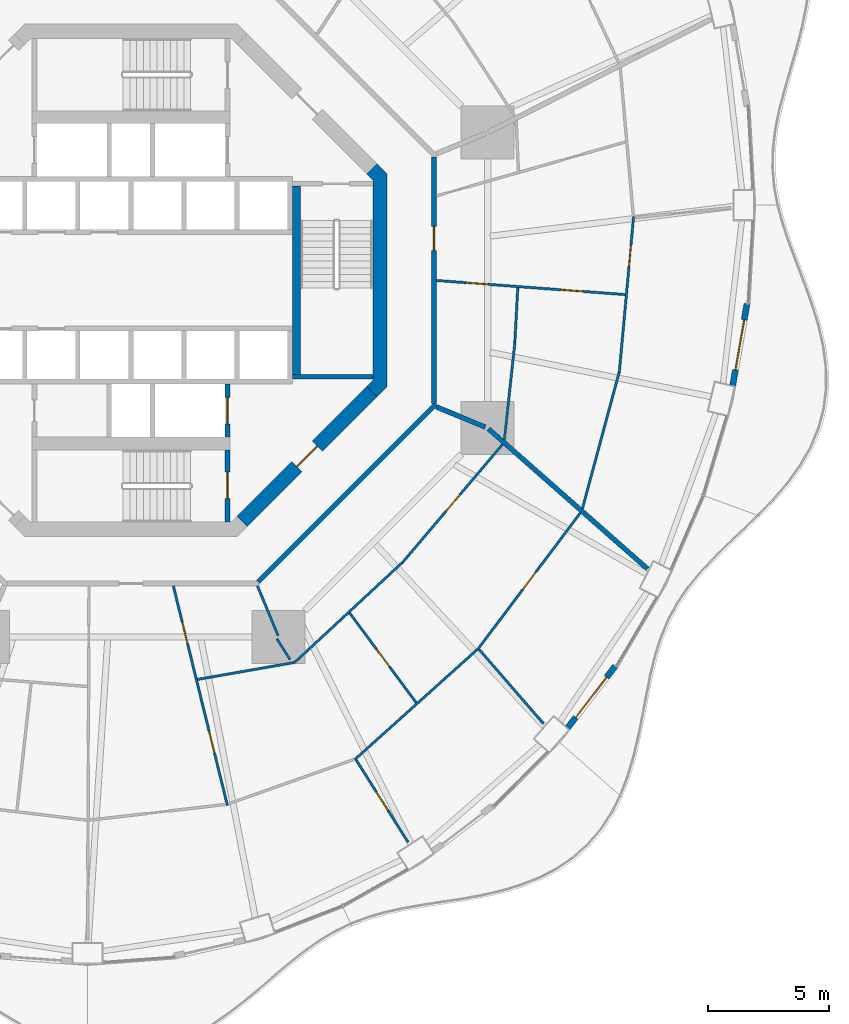
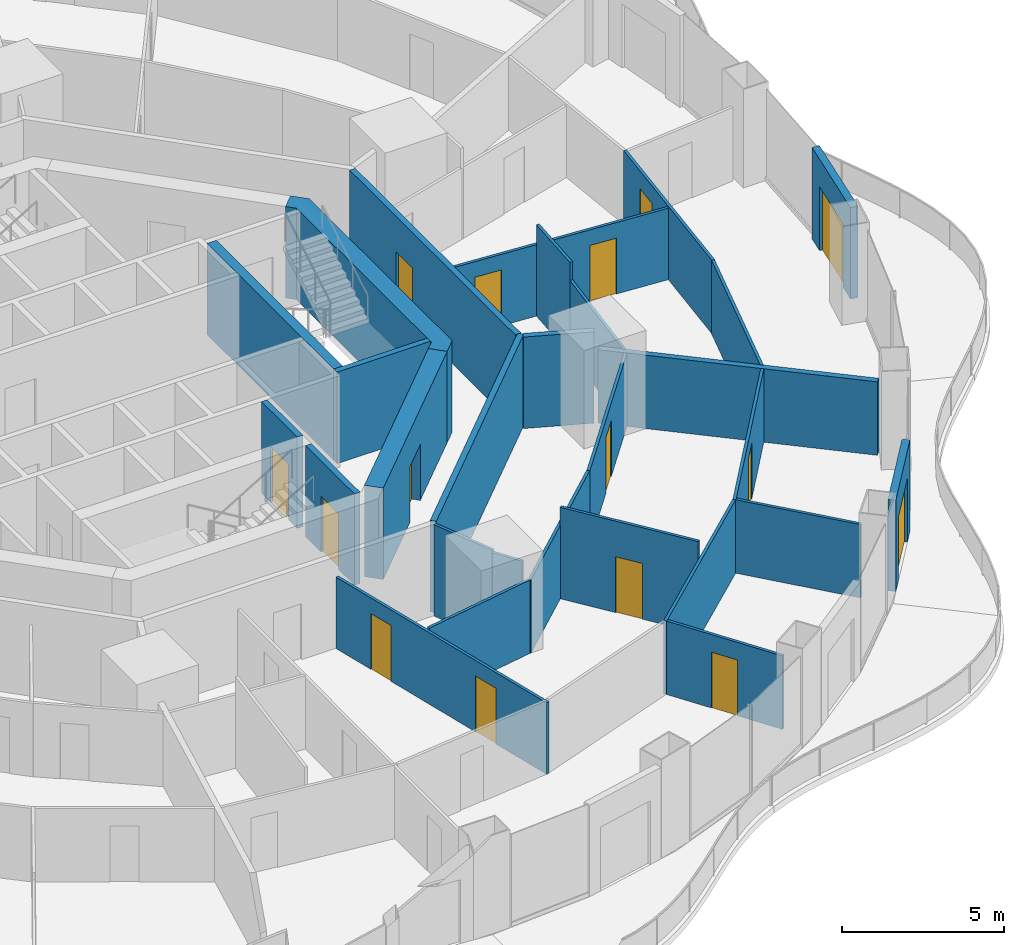
# One storey, part 16 of 22: 28 walls, 15 doors, 15 openings.
"""IFC4 building model written with IfcOpenShell, lengths in metres."""

from ifc_helpers import new_model, si_unit, direction, frame, frame_2d, origin, place, context, subcontext, project, spatial, polyline, rectangle, outline, extrude, material, layer, layer_set, type_object, element, fill, save


model = new_model("IFC4")

# Units and contexts
model_context = context("Model", 3, precision=1e-05, world=origin(), true_north=direction((0.0, 1.0)))
body_context = subcontext(model_context, "Body", "Model", "MODEL_VIEW")
ifc_project = project(units=[si_unit("LENGTHUNIT", "METRE"), si_unit("AREAUNIT", "SQUARE_METRE"), si_unit("VOLUMEUNIT", "CUBIC_METRE"), si_unit("PLANEANGLEUNIT", "RADIAN"), si_unit("MASSUNIT", "GRAM", prefix="KILO")], contexts=[model_context])

# Site, building, storey
site_placement = place(None, origin())
site = spatial("IfcSite", under=ifc_project, at=site_placement, CompositionType="ELEMENT")
building_placement = place(site_placement, origin())
building = spatial("IfcBuilding", under=site, at=building_placement, Name="Nagisa Residences", CompositionType="ELEMENT")
storey_placement = place(building_placement, frame((0.0, 0.0, 80.699951171875)))
storey = spatial("IfcBuildingStorey", under=building, at=storey_placement, Name="L19", CompositionType="ELEMENT", Elevation=80.699951171875)

# Walls
ifc_material_1 = material(Name="Gypsum board on steel studs", Category="steel")
ifc_layer_1 = layer(ifc_material_1, 0.199951171875)
ifc_layer_set_1 = layer_set([ifc_layer_1], Name="Apartment compartment wall EI60 200")
wall_type_1 = type_object("IfcWallType", Name="Apartment compartment wall EI60 200", PredefinedType="PARTITIONING", material=ifc_layer_set_1)
wall_1_placement = place(storey_placement, frame((12.6572265625, -5.24267578125, 0.0), z_axis=(0.0, 0.0, 1.0), x_axis=(0.923876145736, -0.382691608661, 0.0)))
element("IfcWall", 1, at=wall_1_placement, inside=storey, type_object=wall_type_1, Name="wall:L19:u06", PredefinedType="PARTITIONING", context=body_context, shape_type="SweptSolid", body=[
    extrude(rectangle(XDim=2.19970703125, YDim=0.199951171875, at=frame_2d((1.099853515625, 0.0))), origin(), (0.0, 0.0, 1.0), 3.43994140625),
])
wall_2_placement = place(storey_placement, frame((14.819580078125, -6.156005859375, 0.0), z_axis=(0.0, 0.0, 1.0), x_axis=(0.750582231659, -0.660777052808, 0.0)))
element("IfcWall", 2, at=wall_2_placement, inside=storey, type_object=wall_type_1, Name="wall:L19:u07", PredefinedType="PARTITIONING", context=body_context, shape_type="SweptSolid", body=[
    extrude(rectangle(XDim=8.781005859375, YDim=0.199951171875, at=frame_2d((4.390625, 0.0))), origin(), (0.0, 0.0, 1.0), 2.761962890625),
])

# Wall, opening, door
ifc_material_2 = material(Name="Gypsum board on steel studs", Category="steel")
ifc_layer_2 = layer(ifc_material_2, 0.199951171875)
ifc_layer_set_2 = layer_set([ifc_layer_2], Name="Apartment entry wall EI60 200")
wall_type_2 = type_object("IfcWallType", Name="Apartment entry wall EI60 200", PredefinedType="PARTITIONING", material=ifc_layer_set_2)
wall_3_placement = place(storey_placement, frame((12.564697265625, -5.1044921875, 0.0), z_axis=(0.0, 0.0, 1.0), x_axis=(0.0, 1.0, 0.0)))
wall_3 = element("IfcWall", 3, at=wall_3_placement, inside=storey, type_object=wall_type_2, Name="wall:L19:u08", PredefinedType="PARTITIONING", context=body_context, shape_type="SweptSolid", body=[
    extrude(rectangle(XDim=10.208984375, YDim=0.199951171875, at=frame_2d((5.1044921875, 0.0))), origin(), (0.0, 0.0, 1.0), 3.43994140625),
])
opening_1_placement = place(wall_3_placement, frame((6.33935546875, 0.0, 0.0)))
opening_1 = element("IfcOpeningElement", 4, at=opening_1_placement, cuts=wall_3, Name="Opening L19-U48", PredefinedType="OPENING", context=body_context, shape_type="SweptSolid", body=[
    extrude(rectangle(XDim=1.0, YDim=2.10009765625, at=frame_2d((0.5, 1.050048828125))), frame((0.0, 0.10986328125, 0.0), z_axis=(0.0, -1.0, 0.0), x_axis=(1.0, 0.0, 0.0)), (0.0, 0.0, 1.0), 0.219970703125),
])
ifc_material_3 = material(Name="Timber fire door set", Category="wood")
door_type_1 = type_object("IfcDoorType", Name="Apartment entry door FD30S 1000x2100", OperationType="NOTDEFINED", PredefinedType="DOOR", material=ifc_material_3)
door_1_placement = place(opening_1_placement, frame((1.0, 0.0, 0.0), x_axis=(-1.0, 0.0, 0.0)))
door_1 = element("IfcDoor", 5, at=door_1_placement, inside=storey, type_object=door_type_1, Name="Entry door, Apartment 19D", OperationType="SINGLE_SWING_LEFT", OverallHeight=2.10009765625, OverallWidth=1.0, PredefinedType="DOOR", context=body_context, shape_type="SweptSolid", body=[
    extrude(rectangle(XDim=1.0, YDim=2.10009765625, at=frame_2d((0.5, 1.050048828125))), frame((0.0, 0.02490234375, 0.0), z_axis=(0.0, -1.0, 0.0), x_axis=(1.0, 0.0, 0.0)), (0.0, 0.0, 1.0), 0.050048828125),
])
fill(opening_1, door_1)

# Wall
wall_4_placement = place(storey_placement, frame((5.275146484375, -12.494140625, 0.0), z_axis=(0.0, 0.0, 1.0), x_axis=(0.707106781187, 0.707106781187, 0.0)))
element("IfcWall", 6, at=wall_4_placement, inside=storey, type_object=wall_type_2, Name="wall:L19:u15", PredefinedType="PARTITIONING", context=body_context, shape_type="SweptSolid", body=[
    extrude(rectangle(XDim=10.4091796875, YDim=0.199951171875, at=frame_2d((5.20458984375, 0.0))), origin(), (0.0, 0.0, 1.0), 3.43994140625),
])

# Wall, opening, door
ifc_material_4 = material(Name="Gypsum board on steel studs", Category="steel")
ifc_layer_3 = layer(ifc_material_4, 0.10009765625)
ifc_layer_set_3 = layer_set([ifc_layer_3], Name="Apartment partition 100")
wall_type_3 = type_object("IfcWallType", Name="Apartment partition 100", PredefinedType="PARTITIONING", material=ifc_layer_set_3)
wall_5_placement = place(storey_placement, frame((20.833984375, 2.64208984375, 0.0), z_axis=(0.0, 0.0, 1.0), x_axis=(-0.091385407685, -0.995815599025, 0.0)))
wall_5 = element("IfcWall", 7, at=wall_5_placement, inside=storey, type_object=wall_type_3, Name="wall:L19:u18", PredefinedType="PARTITIONING", context=body_context, shape_type="SweptSolid", body=[
    extrude(rectangle(XDim=6.50244140625, YDim=0.10009765625, at=frame_2d((3.251220703125, 0.0))), origin(), (0.0, 0.0, 1.0), 2.761962890625),
])
opening_2_placement = place(wall_5_placement, frame((1.20068359375, 0.0, 0.0)))
opening_2 = element("IfcOpeningElement", 8, at=opening_2_placement, cuts=wall_5, Name="Opening L19-U53", PredefinedType="OPENING", context=body_context, shape_type="SweptSolid", body=[
    extrude(rectangle(XDim=0.89990234375, YDim=2.10009765625, at=frame_2d((0.449951171875, 1.050048828125))), frame((0.0, 0.06005859375, 0.0), z_axis=(0.0, -1.0, 0.0), x_axis=(1.0, 0.0, 0.0)), (0.0, 0.0, 1.0), 0.1201171875),
])
ifc_material_5 = material(Name="Timber door set", Category="wood")
door_type_2 = type_object("IfcDoorType", Name="Apartment door 900x2100", OperationType="NOTDEFINED", PredefinedType="DOOR", material=ifc_material_5)
door_2_placement = place(opening_2_placement, origin())
door_2 = element("IfcDoor", 9, at=door_2_placement, inside=storey, type_object=door_type_2, Name="Door to living room, Apartment 19D", OperationType="SINGLE_SWING_LEFT", OverallHeight=2.10009765625, OverallWidth=0.89990234375, PredefinedType="DOOR", context=body_context, shape_type="SweptSolid", body=[
    extrude(rectangle(XDim=0.89990234375, YDim=2.10009765625, at=frame_2d((0.449951171875, 1.050048828125))), frame((0.0, 0.02490234375, 0.0), z_axis=(0.0, -1.0, 0.0), x_axis=(1.0, 0.0, 0.0)), (0.0, 0.0, 1.0), 0.050048828125),
])
fill(opening_2, door_2)

# Wall, openings, doors
wall_6_placement = place(storey_placement, frame((1.7587890625, -12.661865234375, 0.0), z_axis=(0.0, 0.0, 1.0), x_axis=(0.239022447434, -0.971014041929, 0.0)))
wall_6 = element("IfcWall", 10, at=wall_6_placement, inside=storey, type_object=wall_type_3, Name="wall:L19:u78", PredefinedType="PARTITIONING", context=body_context, shape_type="SweptSolid", body=[
    extrude(rectangle(XDim=9.37353515625, YDim=0.10009765625, at=frame_2d((4.686767578125, 0.0))), origin(), (0.0, 0.0, 1.0), 2.68701171875),
])
opening_3_placement = place(wall_6_placement, frame((1.552001953125, 0.0, 0.0)))
opening_3 = element("IfcOpeningElement", 11, at=opening_3_placement, cuts=wall_6, Name="Opening L19-U38", PredefinedType="OPENING", context=body_context, shape_type="SweptSolid", body=[
    extrude(rectangle(XDim=0.89990234375, YDim=2.10009765625, at=frame_2d((0.449951171875, 1.050048828125))), frame((0.0, 0.06005859375, 0.0), z_axis=(0.0, -1.0, 0.0), x_axis=(1.0, 0.0, 0.0)), (0.0, 0.0, 1.0), 0.1201171875),
])
opening_4_placement = place(wall_6_placement, frame((6.213623046875, 0.0, 0.0)))
opening_4 = element("IfcOpeningElement", 12, at=opening_4_placement, cuts=wall_6, Name="Opening L19-U40", PredefinedType="OPENING", context=body_context, shape_type="SweptSolid", body=[
    extrude(rectangle(XDim=0.89990234375, YDim=2.10009765625, at=frame_2d((0.449951171875, 1.050048828125))), frame((0.0, 0.06005859375, 0.0), z_axis=(0.0, -1.0, 0.0), x_axis=(1.0, 0.0, 0.0)), (0.0, 0.0, 1.0), 0.1201171875),
])
door_3_placement = place(opening_3_placement, origin())
door_3 = element("IfcDoor", 13, at=door_3_placement, inside=storey, type_object=door_type_2, Name="Door to family bathroom, Apartment 19C", OperationType="SINGLE_SWING_RIGHT", OverallHeight=2.10009765625, OverallWidth=0.89990234375, PredefinedType="DOOR", context=body_context, shape_type="SweptSolid", body=[
    extrude(rectangle(XDim=0.89990234375, YDim=2.10009765625, at=frame_2d((0.449951171875, 1.050048828125))), frame((0.0, 0.02490234375, 0.0), z_axis=(0.0, -1.0, 0.0), x_axis=(1.0, 0.0, 0.0)), (0.0, 0.0, 1.0), 0.050048828125),
])
fill(opening_3, door_3)
door_4_placement = place(opening_4_placement, origin())
door_4 = element("IfcDoor", 14, at=door_4_placement, inside=storey, type_object=door_type_2, Name="Door to dining room, Apartment 19C", OperationType="SINGLE_SWING_RIGHT", OverallHeight=2.10009765625, OverallWidth=0.89990234375, PredefinedType="DOOR", context=body_context, shape_type="SweptSolid", body=[
    extrude(rectangle(XDim=0.89990234375, YDim=2.10009765625, at=frame_2d((0.449951171875, 1.050048828125))), frame((0.0, 0.02490234375, 0.0), z_axis=(0.0, -1.0, 0.0), x_axis=(1.0, 0.0, 0.0)), (0.0, 0.0, 1.0), 0.050048828125),
])
fill(opening_4, door_4)

# Walls
wall_7_placement = place(storey_placement, frame((2.76513671875, -16.541015625, 0.0), z_axis=(0.0, 0.0, 1.0), x_axis=(0.985002709003, 0.172538874623, 0.0)))
element("IfcWall", 15, at=wall_7_placement, inside=storey, type_object=wall_type_3, Name="wall:L19:u79", PredefinedType="PARTITIONING", context=body_context, shape_type="SweptSolid", body=[
    extrude(rectangle(XDim=4.0341796875, YDim=0.10009765625, at=frame_2d((2.01708984375, 0.0))), origin(), (0.0, 0.0, 1.0), 2.761962890625),
])
wall_8_placement = place(storey_placement, frame((5.24267578125, -12.6572265625, 0.0), z_axis=(0.0, 0.0, 1.0), x_axis=(0.382719158442, -0.923864733477, 0.0)))
element("IfcWall", 16, at=wall_8_placement, inside=storey, type_object=wall_type_3, Name="wall:L19:u81", PredefinedType="PARTITIONING", context=body_context, shape_type="SweptSolid", body=[
    extrude(rectangle(XDim=2.25, YDim=0.10009765625, at=frame_2d((1.125, 0.0))), origin(), (0.0, 0.0, 1.0), 3.43994140625),
])
wall_9_placement = place(storey_placement, frame((6.751220703125, -15.870361328125, 0.0), z_axis=(0.0, 0.0, 1.0), x_axis=(0.733003105791, 0.680225291283, 0.0)))
element("IfcWall", 17, at=wall_9_placement, inside=storey, type_object=wall_type_3, Name="wall:L19:u82", PredefinedType="PARTITIONING", context=body_context, shape_type="SweptSolid", body=[
    extrude(rectangle(XDim=6.138427734375, YDim=0.10009765625, at=frame_2d((3.0693359375, 0.0))), origin(), (0.0, 0.0, 1.0), 2.761962890625),
])

# Wall, opening, door
wall_10_placement = place(storey_placement, frame((9.336181640625, -19.876708984375, 0.0), z_axis=(0.0, 0.0, 1.0), x_axis=(0.533525984139, -0.845783674617, 0.0)))
wall_10 = element("IfcWall", 18, at=wall_10_placement, inside=storey, type_object=wall_type_3, Name="wall:L19:u83", PredefinedType="PARTITIONING", context=body_context, shape_type="SweptSolid", body=[
    extrude(rectangle(XDim=4.03271484375, YDim=0.10009765625, at=frame_2d((2.016357421875, 0.0))), origin(), (0.0, 0.0, 1.0), 2.761962890625),
])
opening_5_placement = place(wall_10_placement, frame((1.56640625, 0.0, 0.0)))
opening_5 = element("IfcOpeningElement", 19, at=opening_5_placement, cuts=wall_10, Name="Opening L19-U43", PredefinedType="OPENING", context=body_context, shape_type="SweptSolid", body=[
    extrude(rectangle(XDim=0.89990234375, YDim=2.10009765625, at=frame_2d((0.449951171875, 1.050048828125))), frame((0.0, 0.06005859375, 0.0), z_axis=(0.0, -1.0, 0.0), x_axis=(1.0, 0.0, 0.0)), (0.0, 0.0, 1.0), 0.1201171875),
])
door_5_placement = place(opening_5_placement, origin())
door_5 = element("IfcDoor", 20, at=door_5_placement, inside=storey, type_object=door_type_2, Name="Door to master bedroom, Apartment 19C", OperationType="SINGLE_SWING_LEFT", OverallHeight=2.10009765625, OverallWidth=0.89990234375, PredefinedType="DOOR", context=body_context, shape_type="SweptSolid", body=[
    extrude(rectangle(XDim=0.89990234375, YDim=2.10009765625, at=frame_2d((0.449951171875, 1.050048828125))), frame((0.0, 0.02490234375, 0.0), z_axis=(0.0, -1.0, 0.0), x_axis=(1.0, 0.0, 0.0)), (0.0, 0.0, 1.0), 0.050048828125),
])
fill(opening_5, door_5)

# Wall
wall_11_placement = place(storey_placement, frame((9.2724609375, -19.86767578125, 0.0), z_axis=(0.0, 0.0, 1.0), x_axis=(0.743884413566, 0.668308296562, 0.0)))
element("IfcWall", 21, at=wall_11_placement, inside=storey, type_object=wall_type_3, Name="wall:L19:u84", PredefinedType="PARTITIONING", context=body_context, shape_type="SweptSolid", body=[
    extrude(rectangle(XDim=6.84521484375, YDim=0.10009765625, at=frame_2d((3.422607421875, 0.0))), origin(), (0.0, 0.0, 1.0), 2.761962890625),
])

# Wall, opening, door
wall_12_placement = place(storey_placement, frame((9.0673828125, -13.788818359375, 0.0), z_axis=(0.0, 0.0, 1.0), x_axis=(0.5958491185, -0.80309640018, 0.0)))
wall_12 = element("IfcWall", 22, at=wall_12_placement, inside=storey, type_object=wall_type_3, Name="wall:L19:u85", PredefinedType="PARTITIONING", context=body_context, shape_type="SweptSolid", body=[
    extrude(rectangle(XDim=4.629638671875, YDim=0.10009765625, at=frame_2d((2.31494140625, 0.0))), origin(), (0.0, 0.0, 1.0), 3.43994140625),
])
opening_6_placement = place(wall_12_placement, frame((1.86474609375, 0.0, 0.0)))
opening_6 = element("IfcOpeningElement", 23, at=opening_6_placement, cuts=wall_12, Name="Opening L19-U41", PredefinedType="OPENING", context=body_context, shape_type="SweptSolid", body=[
    extrude(rectangle(XDim=0.89990234375, YDim=2.10009765625, at=frame_2d((0.449951171875, 1.050048828125))), frame((0.0, 0.06005859375, 0.0), z_axis=(0.0, -1.0, 0.0), x_axis=(1.0, 0.0, 0.0)), (0.0, 0.0, 1.0), 0.1201171875),
])
door_6_placement = place(opening_6_placement, origin())
door_6 = element("IfcDoor", 24, at=door_6_placement, inside=storey, type_object=door_type_2, Name="Door to kitchen, Apartment 19C", OperationType="SINGLE_SWING_LEFT", OverallHeight=2.10009765625, OverallWidth=0.89990234375, PredefinedType="DOOR", context=body_context, shape_type="SweptSolid", body=[
    extrude(rectangle(XDim=0.89990234375, YDim=2.10009765625, at=frame_2d((0.449951171875, 1.050048828125))), frame((0.0, 0.02490234375, 0.0), z_axis=(0.0, -1.0, 0.0), x_axis=(1.0, 0.0, 0.0)), (0.0, 0.0, 1.0), 0.050048828125),
])
fill(opening_6, door_6)

wall_13_placement = place(storey_placement, frame((11.2548828125, -11.698974609375, 0.0), z_axis=(0.0, 0.0, 1.0), x_axis=(0.646107653745, 0.763246290375, 0.0)))
wall_13 = element("IfcWall", 25, at=wall_13_placement, inside=storey, type_object=wall_type_3, Name="wall:L19:u86", PredefinedType="PARTITIONING", context=body_context, shape_type="SweptSolid", body=[
    extrude(rectangle(XDim=6.417236328125, YDim=0.10009765625, at=frame_2d((3.20849609375, 0.0))), origin(), (0.0, 0.0, 1.0), 2.761962890625),
])
opening_7_placement = place(wall_13_placement, frame((2.78369140625, 0.0, 0.0)))
opening_7 = element("IfcOpeningElement", 26, at=opening_7_placement, cuts=wall_13, Name="Opening L19-U45", PredefinedType="OPENING", context=body_context, shape_type="SweptSolid", body=[
    extrude(rectangle(XDim=0.89990234375, YDim=2.10009765625, at=frame_2d((0.449951171875, 1.050048828125))), frame((0.0, 0.06005859375, 0.0), z_axis=(0.0, -1.0, 0.0), x_axis=(1.0, 0.0, 0.0)), (0.0, 0.0, 1.0), 0.1201171875),
])
door_7_placement = place(opening_7_placement, origin())
door_7 = element("IfcDoor", 27, at=door_7_placement, inside=storey, type_object=door_type_2, Name="Door to store, Apartment 19C", OperationType="SINGLE_SWING_LEFT", OverallHeight=2.10009765625, OverallWidth=0.89990234375, PredefinedType="DOOR", context=body_context, shape_type="SweptSolid", body=[
    extrude(rectangle(XDim=0.89990234375, YDim=2.10009765625, at=frame_2d((0.449951171875, 1.050048828125))), frame((0.0, 0.02490234375, 0.0), z_axis=(0.0, -1.0, 0.0), x_axis=(1.0, 0.0, 0.0)), (0.0, 0.0, 1.0), 0.050048828125),
])
fill(opening_7, door_7)

# Wall
wall_14_placement = place(storey_placement, frame((14.4345703125, -15.29736328125, 0.0), z_axis=(0.0, 0.0, 1.0), x_axis=(0.654405107766, -0.756144136345, 0.0)))
element("IfcWall", 28, at=wall_14_placement, inside=storey, type_object=wall_type_3, Name="wall:L19:u87", PredefinedType="PARTITIONING", context=body_context, shape_type="SweptSolid", body=[
    extrude(rectangle(XDim=4.06982421875, YDim=0.10009765625, at=frame_2d((2.034912109375, 0.0))), origin(), (0.0, 0.0, 1.0), 2.761962890625),
])

# Wall, opening, door
wall_15_placement = place(storey_placement, frame((14.371826171875, -15.299560546875, 0.0), z_axis=(0.0, 0.0, 1.0), x_axis=(0.600987107857, 0.79925871668, 0.0)))
wall_15 = element("IfcWall", 29, at=wall_15_placement, inside=storey, type_object=wall_type_3, Name="wall:L19:u88", PredefinedType="PARTITIONING", context=body_context, shape_type="SweptSolid", body=[
    extrude(rectangle(XDim=7.080322265625, YDim=0.10009765625, at=frame_2d((3.5400390625, 0.0))), origin(), (0.0, 0.0, 1.0), 2.761962890625),
])
opening_8_placement = place(wall_15_placement, frame((3.114990234375, 0.0, 0.0)))
opening_8 = element("IfcOpeningElement", 30, at=opening_8_placement, cuts=wall_15, Name="Opening L19-U44", PredefinedType="OPENING", context=body_context, shape_type="SweptSolid", body=[
    extrude(rectangle(XDim=0.89990234375, YDim=2.10009765625, at=frame_2d((0.449951171875, 1.050048828125))), frame((0.0, 0.06005859375, 0.0), z_axis=(0.0, -1.0, 0.0), x_axis=(1.0, 0.0, 0.0)), (0.0, 0.0, 1.0), 0.1201171875),
])
door_8_placement = place(opening_8_placement, frame((0.89990234375, 0.0, 0.0), x_axis=(-1.0, 0.0, 0.0)))
door_8 = element("IfcDoor", 31, at=door_8_placement, inside=storey, type_object=door_type_2, Name="Door to bedroom, Apartment 19C", OperationType="SINGLE_SWING_LEFT", OverallHeight=2.10009765625, OverallWidth=0.89990234375, PredefinedType="DOOR", context=body_context, shape_type="SweptSolid", body=[
    extrude(rectangle(XDim=0.89990234375, YDim=2.10009765625, at=frame_2d((0.449951171875, 1.050048828125))), frame((0.0, 0.02490234375, 0.0), z_axis=(0.0, -1.0, 0.0), x_axis=(1.0, 0.0, 0.0)), (0.0, 0.0, 1.0), 0.050048828125),
])
fill(opening_8, door_8)

# Walls
wall_16_placement = place(storey_placement, frame((15.4765625, -6.62548828125, 0.0), z_axis=(0.0, 0.0, 1.0), x_axis=(0.107561928907, 0.994198386365, 0.0)))
element("IfcWall", 32, at=wall_16_placement, inside=storey, type_object=wall_type_3, Name="wall:L19:u89", PredefinedType="PARTITIONING", context=body_context, shape_type="SweptSolid", body=[
    extrude(rectangle(XDim=4.072021484375, YDim=0.10009765625, at=frame_2d((2.0361328125, 0.0))), origin(), (0.0, 0.0, 1.0), 2.761962890625),
])
wall_17_placement = place(storey_placement, frame((18.713134765625, -9.464111328125, 0.0), z_axis=(0.0, 0.0, 1.0), x_axis=(0.260279646259, 0.965533275316, 0.0)))
element("IfcWall", 33, at=wall_17_placement, inside=storey, type_object=wall_type_3, Name="wall:L19:u90", PredefinedType="PARTITIONING", context=body_context, shape_type="SweptSolid", body=[
    extrude(rectangle(XDim=5.83349609375, YDim=0.10009765625, at=frame_2d((2.916748046875, 0.0))), origin(), (0.0, 0.0, 1.0), 2.761962890625),
])
wall_18_placement = place(storey_placement, frame((15.911865234375, -2.5771484375, 0.0), z_axis=(0.0, 0.0, 1.0), x_axis=(0.053749298185, 0.998554461682, 0.0)))
element("IfcWall", 34, at=wall_18_placement, inside=storey, type_object=wall_type_3, Name="wall:L19:u91", PredefinedType="PARTITIONING", context=body_context, shape_type="SweptSolid", body=[
    extrude(rectangle(XDim=2.27099609375, YDim=0.10009765625, at=frame_2d((1.135498046875, 0.0))), origin(), (0.0, 0.0, 1.0), 3.43994140625),
])

# Wall, openings, doors
wall_19_placement = place(storey_placement, frame((12.66455078125, -0.007568359375, 0.0), z_axis=(0.0, 0.0, 1.0), x_axis=(0.997222647159, -0.074478130978, 0.0)))
wall_19 = element("IfcWall", 35, at=wall_19_placement, inside=storey, type_object=wall_type_3, Name="wall:L19:u92", PredefinedType="PARTITIONING", context=body_context, shape_type="SweptSolid", body=[
    extrude(rectangle(XDim=7.84423828125, YDim=0.10009765625, at=frame_2d((3.922119140625, 0.0))), origin(), (0.0, 0.0, 1.0), 2.68701171875),
])
opening_9_placement = place(wall_19_placement, frame((1.24072265625, 0.0, 0.0)))
opening_9 = element("IfcOpeningElement", 36, at=opening_9_placement, cuts=wall_19, Name="Opening L19-U49", PredefinedType="OPENING", context=body_context, shape_type="SweptSolid", body=[
    extrude(rectangle(XDim=0.89990234375, YDim=2.10009765625, at=frame_2d((0.449951171875, 1.050048828125))), frame((0.0, 0.06005859375, 0.0), z_axis=(0.0, -1.0, 0.0), x_axis=(1.0, 0.0, 0.0)), (0.0, 0.0, 1.0), 0.1201171875),
])
opening_10_placement = place(wall_19_placement, frame((5.162841796875, 0.0, 0.0)))
opening_10 = element("IfcOpeningElement", 37, at=opening_10_placement, cuts=wall_19, Name="Opening L19-U51", PredefinedType="OPENING", context=body_context, shape_type="SweptSolid", body=[
    extrude(rectangle(XDim=0.89990234375, YDim=2.10009765625, at=frame_2d((0.449951171875, 1.050048828125))), frame((0.0, 0.06005859375, 0.0), z_axis=(0.0, -1.0, 0.0), x_axis=(1.0, 0.0, 0.0)), (0.0, 0.0, 1.0), 0.1201171875),
])
door_9_placement = place(opening_9_placement, frame((0.89990234375, 0.0, 0.0), x_axis=(-1.0, 0.0, 0.0)))
door_9 = element("IfcDoor", 38, at=door_9_placement, inside=storey, type_object=door_type_2, Name="Door to laundry, Apartment 19D", OperationType="SINGLE_SWING_RIGHT", OverallHeight=2.10009765625, OverallWidth=0.89990234375, PredefinedType="DOOR", context=body_context, shape_type="SweptSolid", body=[
    extrude(rectangle(XDim=0.89990234375, YDim=2.10009765625, at=frame_2d((0.449951171875, 1.050048828125))), frame((0.0, 0.02490234375, 0.0), z_axis=(0.0, -1.0, 0.0), x_axis=(1.0, 0.0, 0.0)), (0.0, 0.0, 1.0), 0.050048828125),
])
fill(opening_9, door_9)
door_10_placement = place(opening_10_placement, frame((0.89990234375, 0.0, 0.0), x_axis=(-1.0, 0.0, 0.0)))
door_10 = element("IfcDoor", 39, at=door_10_placement, inside=storey, type_object=door_type_2, Name="Door to kitchen, Apartment 19D", OperationType="SINGLE_SWING_RIGHT", OverallHeight=2.10009765625, OverallWidth=0.89990234375, PredefinedType="DOOR", context=body_context, shape_type="SweptSolid", body=[
    extrude(rectangle(XDim=0.89990234375, YDim=2.10009765625, at=frame_2d((0.449951171875, 1.050048828125))), frame((0.0, 0.02490234375, 0.0), z_axis=(0.0, -1.0, 0.0), x_axis=(1.0, 0.0, 0.0)), (0.0, 0.0, 1.0), 0.050048828125),
])
fill(opening_10, door_10)

# Wall
wall_20_placement = place(storey_placement, frame((6.050537109375, -14.854736328125, 0.0), z_axis=(0.0, 0.0, 1.0), x_axis=(0.533542828537, -0.845773048824, 0.0)))
element("IfcWall", 40, at=wall_20_placement, inside=storey, type_object=wall_type_3, Name="wall:L19:u93", PredefinedType="PARTITIONING", context=body_context, shape_type="SweptSolid", body=[
    extrude(rectangle(XDim=1.0205078125, YDim=0.10009765625, at=frame_2d((0.51025390625, 0.0))), origin(), (0.0, 0.0, 1.0), 3.43994140625),
])

# Wall, opening, door
ifc_material_6 = material(Name="Precast concrete C40/50", Category="concrete")
ifc_layer_4 = layer(ifc_material_6, 0.25)
ifc_layer_set_4 = layer_set([ifc_layer_4], Name="BALCONY DOOR WALL 250")
wall_type_4 = type_object("IfcWallType", Name="BALCONY DOOR WALL 250", PredefinedType="SOLIDWALL", material=ifc_layer_set_4)
wall_21_placement = place(storey_placement, frame((20.072998046875, -15.9912109375, 0.0), z_axis=(0.0, 0.0, 1.0), x_axis=(-0.610458970322, -0.792047880847, 0.0)))
wall_21 = element("IfcWall", 41, at=wall_21_placement, inside=storey, type_object=wall_type_4, Name="wall:L19:bay42", PredefinedType="SOLIDWALL", context=body_context, shape_type="SweptSolid", body=[
    extrude(rectangle(XDim=3.262939453125, YDim=0.25, at=frame_2d((1.63134765625, 0.0))), origin(), (0.0, 0.0, 1.0), 3.43994140625),
])
opening_11_placement = place(wall_21_placement, frame((0.58154296875, 0.0, 0.0)))
opening_11 = element("IfcOpeningElement", 42, at=opening_11_placement, cuts=wall_21, Name="Opening BD-L19-15", PredefinedType="OPENING", context=body_context, shape_type="SweptSolid", body=[
    extrude(rectangle(XDim=2.10009765625, YDim=2.39990234375, at=frame_2d((1.050048828125, 1.199951171875))), frame((0.0, 0.135009765625, 0.0), z_axis=(0.0, -1.0, 0.0), x_axis=(1.0, 0.0, 0.0)), (0.0, 0.0, 1.0), 0.27001953125),
])
ifc_material_7 = material(Name="Aluminium and clear glass", Category="aluminium")
door_type_3 = type_object("IfcDoorType", Name="BALCONY SLIDING DOOR 2100x2400", OperationType="SLIDING_TO_LEFT", PredefinedType="DOOR", material=ifc_material_7)
door_11_placement = place(opening_11_placement, origin())
door_11 = element("IfcDoor", 43, at=door_11_placement, inside=storey, type_object=door_type_3, Name="door:L19:bay42", OperationType="SLIDING_TO_LEFT", OverallHeight=2.39990234375, OverallWidth=2.10009765625, PredefinedType="DOOR", context=body_context, shape_type="SweptSolid", body=[
    extrude(rectangle(XDim=2.10009765625, YDim=2.39990234375, at=frame_2d((1.050048828125, 1.199951171875))), frame((0.0, 0.02490234375, 0.0), z_axis=(0.0, -1.0, 0.0), x_axis=(1.0, 0.0, 0.0)), (0.0, 0.0, 1.0), 0.050048828125),
])
fill(opening_11, door_11)

wall_22_placement = place(storey_placement, frame((25.534912109375, -0.974365234375, 0.0), z_axis=(0.0, 0.0, 1.0), x_axis=(-0.172164316671, -0.985068245385, 0.0)))
wall_22 = element("IfcWall", 44, at=wall_22_placement, inside=storey, type_object=wall_type_4, Name="wall:L19:bay46", PredefinedType="SOLIDWALL", context=body_context, shape_type="SweptSolid", body=[
    extrude(rectangle(XDim=3.454345703125, YDim=0.25, at=frame_2d((1.72705078125, 0.0))), origin(), (0.0, 0.0, 1.0), 3.43994140625),
])
opening_12_placement = place(wall_22_placement, frame((0.67724609375, 0.0, 0.0)))
opening_12 = element("IfcOpeningElement", 45, at=opening_12_placement, cuts=wall_22, Name="Opening BD-L19-16", PredefinedType="OPENING", context=body_context, shape_type="SweptSolid", body=[
    extrude(rectangle(XDim=2.10009765625, YDim=2.39990234375, at=frame_2d((1.050048828125, 1.199951171875))), frame((0.0, 0.135009765625, 0.0), z_axis=(0.0, -1.0, 0.0), x_axis=(1.0, 0.0, 0.0)), (0.0, 0.0, 1.0), 0.27001953125),
])
door_12_placement = place(opening_12_placement, origin())
door_12 = element("IfcDoor", 46, at=door_12_placement, inside=storey, type_object=door_type_3, Name="door:L19:bay46", OperationType="SLIDING_TO_LEFT", OverallHeight=2.39990234375, OverallWidth=2.10009765625, PredefinedType="DOOR", context=body_context, shape_type="SweptSolid", body=[
    extrude(rectangle(XDim=2.10009765625, YDim=2.39990234375, at=frame_2d((1.050048828125, 1.199951171875))), frame((0.0, 0.02490234375, 0.0), z_axis=(0.0, -1.0, 0.0), x_axis=(1.0, 0.0, 0.0)), (0.0, 0.0, 1.0), 0.050048828125),
])
fill(opening_12, door_12)

ifc_material_8 = material(Name="Concrete C60", Category="concrete")
ifc_layer_5 = layer(ifc_material_8, 0.60009765625)
ifc_layer_set_5 = layer_set([ifc_layer_5], Name="Core shear wall 600")
wall_type_5 = type_object("IfcWallType", Name="Core shear wall 600", PredefinedType="SHEAR", material=ifc_layer_set_5)
wall_23_placement = place(storey_placement, frame((4.613037109375, -9.98828125, 0.0), z_axis=(0.0, 0.0, 1.0), x_axis=(0.707106781187, 0.707106781187, 0.0)))
wall_23 = element("IfcWall", 47, at=wall_23_placement, inside=storey, type_object=wall_type_5, Name="wall:L19:core:flat7", PredefinedType="SHEAR", context=body_context, shape_type="SweptSolid", body=[
    extrude(rectangle(XDim=7.601806640625, YDim=0.60009765625, at=frame_2d((3.80078125, 0.0))), origin(), (0.0, 0.0, 1.0), 3.43994140625),
])
opening_13_placement = place(wall_23_placement, frame((3.200927734375, 0.0, 0.0)))
opening_13 = element("IfcOpeningElement", 48, at=opening_13_placement, cuts=wall_23, Name="Opening L19-C17", PredefinedType="OPENING", context=body_context, shape_type="SweptSolid", body=[
    extrude(rectangle(XDim=1.199951171875, YDim=2.10009765625, at=frame_2d((0.60009765625, 1.050048828125))), frame((0.0, 0.31005859375, 0.0), z_axis=(0.0, -1.0, 0.0), x_axis=(1.0, 0.0, 0.0)), (0.0, 0.0, 1.0), 0.6201171875),
])
ifc_material_9 = material(Name="Steel fire door", Category="steel")
door_type_4 = type_object("IfcDoorType", Name="Fire door EI60 1200x2100 single swing", OperationType="NOTDEFINED", PredefinedType="DOOR", material=ifc_material_9)
door_13_placement = place(opening_13_placement, origin())
door_13 = element("IfcDoor", 49, at=door_13_placement, inside=storey, type_object=door_type_4, Name="Firefighting lobby 2 door L19", OperationType="SINGLE_SWING_LEFT", OverallHeight=2.10009765625, OverallWidth=1.199951171875, PredefinedType="DOOR", context=body_context, shape_type="SweptSolid", body=[
    extrude(rectangle(XDim=1.199951171875, YDim=2.10009765625, at=frame_2d((0.60009765625, 1.050048828125))), frame((0.0, 0.02490234375, 0.0), z_axis=(0.0, -1.0, 0.0), x_axis=(1.0, 0.0, 0.0)), (0.0, 0.0, 1.0), 0.050048828125),
])
fill(opening_13, door_13)

# Wall
wall_24_placement = place(storey_placement, origin())
element("IfcWall", 50, at=wall_24_placement, inside=storey, type_object=wall_type_5, Name="wall:L19:core:flat0", PredefinedType="SHEAR", context=body_context, shape_type="SweptSolid", body=[
    extrude(outline(polyline([(9.776123046875, -4.40087890625), (10.024658203125, -4.15234375), (10.024658203125, -3.801025390625), (10.024658203125, 4.15234375), (9.776123046875, 4.40087890625), (10.200439453125, 4.8251953125), (10.62451171875, 4.40087890625), (10.62451171875, -4.40087890625), (10.200439453125, -4.8251953125), (9.776123046875, -4.40087890625)])), origin(), (0.0, 0.0, 1.0), 3.43994140625),
])

# Wall, opening, door
ifc_material_10 = material(Name="Concrete C60", Category="concrete")
ifc_layer_6 = layer(ifc_material_10, 0.199951171875)
ifc_layer_set_6 = layer_set([ifc_layer_6], Name="Lift shaft wall 200")
wall_type_6 = type_object("IfcWallType", Name="Lift shaft wall 200", PredefinedType="SOLIDWALL", material=ifc_layer_set_6)
wall_25_placement = place(storey_placement, frame((4.0, -6.5, 0.0), z_axis=(0.0, 0.0, 1.0), x_axis=(0.0, 1.0, 0.0)))
wall_25 = element("IfcWall", 51, at=wall_25_placement, inside=storey, type_object=wall_type_6, Name="wall:L19:Sb3", PredefinedType="SOLIDWALL", context=body_context, shape_type="SweptSolid", body=[
    extrude(rectangle(XDim=2.199951171875, YDim=0.199951171875, at=frame_2d((1.10009765625, 0.0))), origin(), (0.0, 0.0, 1.0), 3.43994140625),
])
opening_14_placement = place(wall_25_placement, frame((0.550048828125, 0.0, 0.0)))
opening_14 = element("IfcOpeningElement", 52, at=opening_14_placement, cuts=wall_25, Name="Opening L19-C07", PredefinedType="OPENING", context=body_context, shape_type="SweptSolid", body=[
    extrude(rectangle(XDim=1.10009765625, YDim=2.10009765625, at=frame_2d((0.550048828125, 1.050048828125))), frame((0.0, 0.10986328125, 0.0), z_axis=(0.0, -1.0, 0.0), x_axis=(1.0, 0.0, 0.0)), (0.0, 0.0, 1.0), 0.219970703125),
])
ifc_material_11 = material(Name="Stainless steel", Category="steel")
door_type_5 = type_object("IfcDoorType", Name="Lift landing door 1100x2100", OperationType="DOUBLE_DOOR_SLIDING", PredefinedType="DOOR", material=ifc_material_11)
door_14_placement = place(opening_14_placement, origin())
door_14 = element("IfcDoor", 53, at=door_14_placement, inside=storey, type_object=door_type_5, Name="Landing door FL2 L19", OperationType="DOUBLE_DOOR_SLIDING", OverallHeight=2.10009765625, OverallWidth=1.10009765625, PredefinedType="DOOR", context=body_context, shape_type="SweptSolid", body=[
    extrude(rectangle(XDim=1.10009765625, YDim=2.10009765625, at=frame_2d((0.550048828125, 1.050048828125))), frame((0.0, 0.02490234375, 0.0), z_axis=(0.0, -1.0, 0.0), x_axis=(1.0, 0.0, 0.0)), (0.0, 0.0, 1.0), 0.050048828125),
])
fill(opening_14, door_14)

ifc_material_12 = material(Name="Concrete C60", Category="concrete")
ifc_layer_7 = layer(ifc_material_12, 0.199951171875)
ifc_layer_set_7 = layer_set([ifc_layer_7], Name="Stair enclosure wall 200")
wall_type_7 = type_object("IfcWallType", Name="Stair enclosure wall 200", PredefinedType="SOLIDWALL", material=ifc_layer_set_7)
wall_26_placement = place(storey_placement, frame((4.0, -10.024658203125, 0.0), z_axis=(0.0, 0.0, 1.0), x_axis=(0.0, 1.0, 0.0)))
wall_26 = element("IfcWall", 54, at=wall_26_placement, inside=storey, type_object=wall_type_7, Name="wall:L19:SS_e", PredefinedType="SOLIDWALL", context=body_context, shape_type="SweptSolid", body=[
    extrude(rectangle(XDim=3.0, YDim=0.199951171875, at=frame_2d((1.5, 0.0))), origin(), (0.0, 0.0, 1.0), 3.43994140625),
])
opening_15_placement = place(wall_26_placement, frame((0.974609375, 0.0, 0.0)))
opening_15 = element("IfcOpeningElement", 55, at=opening_15_placement, cuts=wall_26, Name="Opening L19-C11", PredefinedType="OPENING", context=body_context, shape_type="SweptSolid", body=[
    extrude(rectangle(XDim=1.10009765625, YDim=2.10009765625, at=frame_2d((0.550048828125, 1.050048828125))), frame((0.0, 0.10986328125, 0.0), z_axis=(0.0, -1.0, 0.0), x_axis=(1.0, 0.0, 0.0)), (0.0, 0.0, 1.0), 0.219970703125),
])
ifc_material_13 = material(Name="Steel fire door", Category="steel")
door_type_6 = type_object("IfcDoorType", Name="Fire door EI90 1100x2100 single swing", OperationType="NOTDEFINED", PredefinedType="DOOR", material=ifc_material_13)
door_15_placement = place(opening_15_placement, origin())
door_15 = element("IfcDoor", 56, at=door_15_placement, inside=storey, type_object=door_type_6, Name="Stair door ST-S L19", OperationType="SINGLE_SWING_RIGHT", OverallHeight=2.10009765625, OverallWidth=1.10009765625, PredefinedType="DOOR", context=body_context, shape_type="SweptSolid", body=[
    extrude(rectangle(XDim=1.10009765625, YDim=2.10009765625, at=frame_2d((0.550048828125, 1.050048828125))), frame((0.0, 0.02490234375, 0.0), z_axis=(0.0, -1.0, 0.0), x_axis=(1.0, 0.0, 0.0)), (0.0, 0.0, 1.0), 0.050048828125),
])
fill(opening_15, door_15)

# Walls
wall_27_placement = place(storey_placement, origin())
element("IfcWall", 57, at=wall_27_placement, inside=storey, type_object=wall_type_7, Name="wall:L19:SE_w", PredefinedType="SOLIDWALL", context=body_context, shape_type="SweptSolid", body=[
    extrude(outline(polyline([(7.024658203125, -3.89990234375), (6.699951171875, -3.89990234375), (6.699951171875, 3.89990234375), (7.024658203125, 3.89990234375), (7.024658203125, -3.89990234375)])), origin(), (0.0, 0.0, 1.0), 3.43994140625),
])
wall_28_placement = place(storey_placement, origin())
element("IfcWall", 58, at=wall_28_placement, inside=storey, type_object=wall_type_7, Name="wall:L19:SE_s", PredefinedType="SOLIDWALL", context=body_context, shape_type="SweptSolid", body=[
    extrude(outline(polyline([(10.024658203125, -4.10009765625), (6.699951171875, -4.10009765625), (6.699951171875, -3.89990234375), (10.024658203125, -3.89990234375), (10.024658203125, -4.10009765625)])), origin(), (0.0, 0.0, 1.0), 3.43994140625),
])

save(model, "model.ifc")
